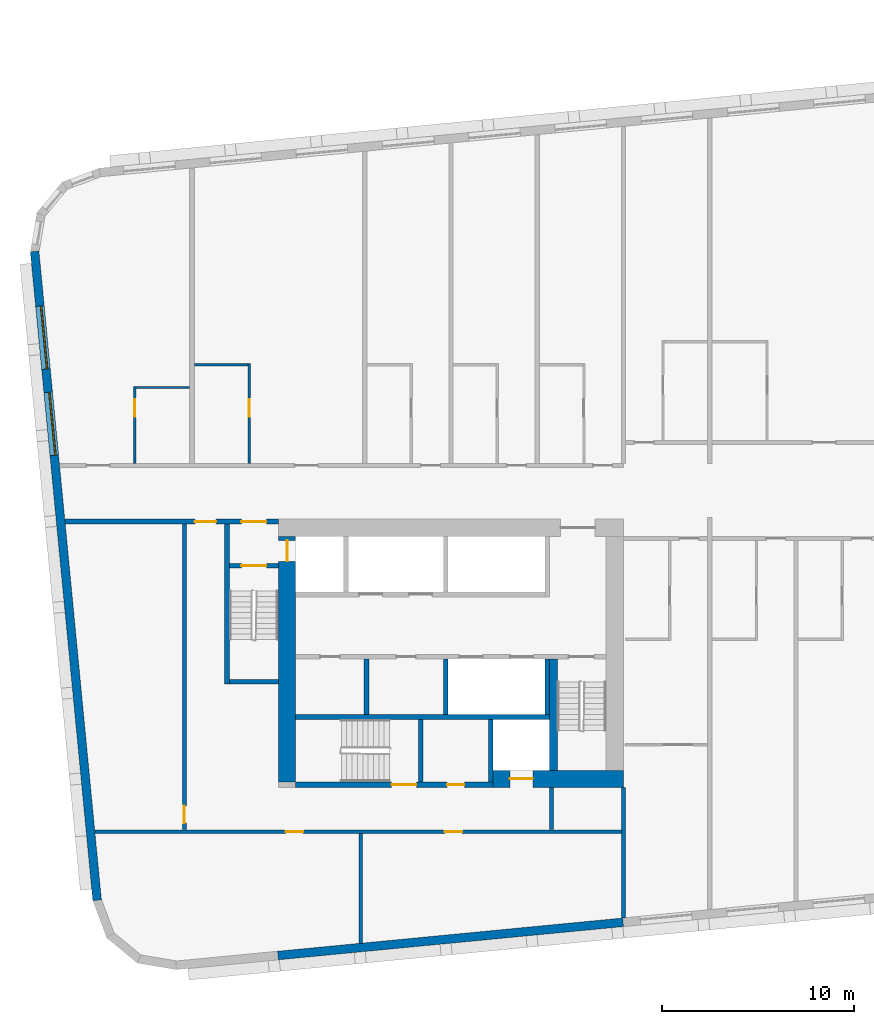
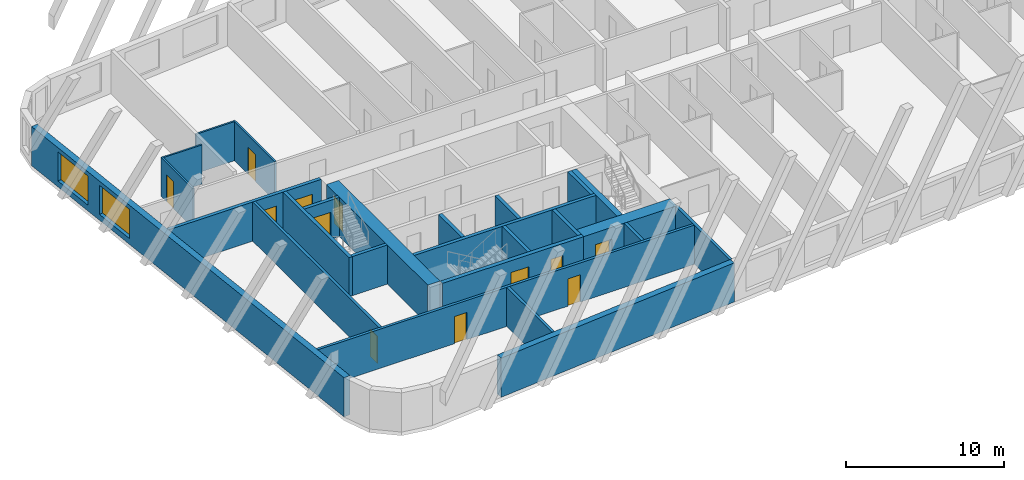
# One storey, part 2 of 13: 25 walls, 12 doors, 2 windows, 14 openings.
"""IFC4 building model written with IfcOpenShell, lengths in metres."""

from ifc_helpers import new_model, si_unit, direction, frame, frame_2d, origin, place, context, subcontext, project, spatial, rectangle, extrude, material, layer, layer_set, type_object, element, fill, save


model = new_model("IFC4")

# Units and contexts
model_context = context("Model", 3, precision=1e-05, world=origin(), true_north=direction((0.0, 1.0)))
body_context = subcontext(model_context, "Body", "Model", "MODEL_VIEW")
ifc_project = project(units=[si_unit("LENGTHUNIT", "METRE"), si_unit("AREAUNIT", "SQUARE_METRE"), si_unit("VOLUMEUNIT", "CUBIC_METRE"), si_unit("PLANEANGLEUNIT", "RADIAN"), si_unit("MASSUNIT", "GRAM", prefix="KILO")], contexts=[model_context])

# Site, building, storey
site_placement = place(None, origin())
site = spatial("IfcSite", under=ifc_project, at=site_placement, CompositionType="ELEMENT")
building_placement = place(site_placement, origin())
building = spatial("IfcBuilding", under=site, at=building_placement, Name="Kajstack Hotel Tower", CompositionType="ELEMENT")
storey_placement = place(building_placement, frame((0.0, 0.0, 176.800048828125)))
storey = spatial("IfcBuildingStorey", under=building, at=storey_placement, Name="L41", CompositionType="ELEMENT", Elevation=176.800048828125)

# Wall, opening, door
ifc_material_1 = material(Name="Concrete C60/75", Category="concrete")
ifc_layer_1 = layer(ifc_material_1, 0.89990234375)
ifc_layer_set_1 = layer_set([ifc_layer_1], Name="Core wall 900")
wall_type_1 = type_object("IfcWallType", Name="Core wall 900", PredefinedType="SHEAR", material=ifc_layer_set_1)
wall_1_placement = place(storey_placement, frame((-20.300048828125, -15.050048828125, 0.0), z_axis=(0.0, 0.0, 1.0), x_axis=(1.0, 0.0, 0.0)))
wall_1 = element("IfcWall", 1, at=wall_1_placement, inside=storey, type_object=wall_type_1, Name="Core wall W RS", PredefinedType="SHEAR", context=body_context, shape_type="SweptSolid", body=[
    extrude(rectangle(XDim=6.800048828125, YDim=0.89990234375, at=frame_2d((3.39990234375, 0.0))), origin(), (0.0, 0.0, 1.0), 3.02001953125),
])
opening_1_placement = place(wall_1_placement, frame((0.875, 0.0, 0.0)))
opening_1 = element("IfcOpeningElement", 2, at=opening_1_placement, cuts=wall_1, Name="Opening LD-SV1", PredefinedType="OPENING", context=body_context, shape_type="SweptSolid", body=[
    extrude(rectangle(XDim=1.199951171875, YDim=2.10009765625, at=frame_2d((0.60009765625, 1.050048828125))), frame((0.0, 0.4599609375, 0.0), z_axis=(0.0, -1.0, 0.0), x_axis=(1.0, 0.0, 0.0)), (0.0, 0.0, 1.0), 0.919921875),
])
ifc_material_2 = material(Name="Stainless steel", Category="steel")
door_type_1 = type_object("IfcDoorType", Name="Lift landing door 1200", OperationType="SLIDING_TO_LEFT", PredefinedType="DOOR", material=ifc_material_2)
door_1_placement = place(opening_1_placement, origin())
door_1 = element("IfcDoor", 3, at=door_1_placement, inside=storey, type_object=door_type_1, Name="Landing door SV1", OperationType="SLIDING_TO_LEFT", OverallHeight=2.10009765625, OverallWidth=1.199951171875, PredefinedType="DOOR", context=body_context, shape_type="SweptSolid", body=[
    extrude(rectangle(XDim=1.199951171875, YDim=2.10009765625, at=frame_2d((0.60009765625, 1.050048828125))), frame((0.0, 0.02490234375, 0.0), z_axis=(0.0, -1.0, 0.0), x_axis=(1.0, 0.0, 0.0)), (0.0, 0.0, 1.0), 0.050048828125),
])
fill(opening_1, door_1)

wall_2_placement = place(storey_placement, frame((-31.050048828125, -15.199951171875, 0.0), z_axis=(0.0, 0.0, 1.0), x_axis=(0.0, 1.0, 0.0)))
wall_2 = element("IfcWall", 4, at=wall_2_placement, inside=storey, type_object=wall_type_1, Name="Core wall W RW", PredefinedType="SHEAR", context=body_context, shape_type="SweptSolid", body=[
    extrude(rectangle(XDim=12.800048828125, YDim=0.89990234375, at=frame_2d((6.39990234375, 0.0))), origin(), (0.0, 0.0, 1.0), 3.02001953125),
])
opening_2_placement = place(wall_2_placement, frame((11.5, 0.0, 0.0)))
opening_2 = element("IfcOpeningElement", 5, at=opening_2_placement, cuts=wall_2, Name="Opening LD-FF1", PredefinedType="OPENING", context=body_context, shape_type="SweptSolid", body=[
    extrude(rectangle(XDim=1.10009765625, YDim=2.10009765625, at=frame_2d((0.550048828125, 1.050048828125))), frame((0.0, 0.4599609375, 0.0), z_axis=(0.0, -1.0, 0.0), x_axis=(1.0, 0.0, 0.0)), (0.0, 0.0, 1.0), 0.919921875),
])
door_type_2 = type_object("IfcDoorType", Name="Fire-fighting lift landing door 1100", OperationType="SLIDING_TO_LEFT", PredefinedType="DOOR", material=ifc_material_2)
door_2_placement = place(opening_2_placement, origin())
door_2 = element("IfcDoor", 6, at=door_2_placement, inside=storey, type_object=door_type_2, Name="Landing door FF1", OperationType="SLIDING_TO_RIGHT", OverallHeight=2.10009765625, OverallWidth=1.10009765625, PredefinedType="DOOR", context=body_context, shape_type="SweptSolid", body=[
    extrude(rectangle(XDim=1.10009765625, YDim=2.10009765625, at=frame_2d((0.550048828125, 1.050048828125))), frame((0.0, 0.02490234375, 0.0), z_axis=(0.0, -1.0, 0.0), x_axis=(1.0, 0.0, 0.0)), (0.0, 0.0, 1.0), 0.050048828125),
])
fill(opening_2, door_2)

# Walls
ifc_material_3 = material(Name="Twin-frame gypsum board on steel studs, mineral wool", Category="steel")
ifc_layer_2 = layer(ifc_material_3, 0.199951171875)
ifc_layer_set_2 = layer_set([ifc_layer_2], Name="Demising wall 200")
wall_type_2 = type_object("IfcWallType", Name="Demising wall 200", PredefinedType="PARTITIONING", material=ifc_layer_set_2)
wall_3_placement = place(storey_placement, frame((-13.5, -22.300048828125, 0.0), z_axis=(0.0, 0.0, 1.0), x_axis=(0.0, 1.0, 0.0)))
element("IfcWall", 7, at=wall_3_placement, inside=storey, type_object=wall_type_2, Name="G-wall-L41-002", PredefinedType="PARTITIONING", context=body_context, shape_type="SweptSolid", body=[
    extrude(rectangle(XDim=6.800048828125, YDim=0.199951171875, at=frame_2d((3.39990234375, 0.0))), origin(), (0.0, 0.0, 1.0), 3.02001953125),
])
ifc_material_4 = material(Name="Concrete C40/50", Category="concrete")
ifc_layer_3 = layer(ifc_material_4, 0.449951171875)
ifc_layer_set_3 = layer_set([ifc_layer_3], Name="EW-CORE")
wall_type_3 = type_object("IfcWallType", Name="EW-CORE", PredefinedType="SOLIDWALL", material=ifc_layer_set_3)
wall_4_placement = place(storey_placement, frame((-31.521484375, -24.26171875, 0.0), z_axis=(0.0, 0.0, 1.0), x_axis=(0.995396454615, 0.095843091245, 0.0)))
element("IfcWall", 8, at=wall_4_placement, inside=storey, type_object=wall_type_3, Name="E-wall-L41-04-01", PredefinedType="SOLIDWALL", context=body_context, shape_type="SweptSolid", body=[
    extrude(rectangle(XDim=18.083251953125, YDim=0.449951171875, at=frame_2d((9.04150390625, 0.0))), origin(), (0.0, 0.0, 1.0), 3.02001953125),
])

# Wall, openings, windows
ifc_material_5 = material(Name="Terracotta-faced brick masonry", Category="masonry")
ifc_layer_4 = layer(ifc_material_5, 0.449951171875)
ifc_layer_set_4 = layer_set([ifc_layer_4], Name="EW-TERRA")
wall_type_4 = type_object("IfcWallType", Name="EW-TERRA", PredefinedType="SOLIDWALL", material=ifc_layer_set_4)
wall_5_placement = place(storey_placement, frame((-44.21435546875, 12.465576171875, 0.0), z_axis=(0.0, 0.0, 1.0), x_axis=(0.095847314626, -0.995396047952, 0.0)))
wall_5 = element("IfcWall", 9, at=wall_5_placement, inside=storey, type_object=wall_type_4, Name="E-wall-L41-00-00", PredefinedType="SOLIDWALL", context=body_context, shape_type="SweptSolid", body=[
    extrude(rectangle(XDim=33.999755859375, YDim=0.449951171875, at=frame_2d((17.0, 0.0))), origin(), (0.0, 0.0, 1.0), 3.02001953125),
])
opening_3_placement = place(wall_5_placement, frame((2.864990234375, 0.0, 0.449951171875)))
opening_3 = element("IfcOpeningElement", 10, at=opening_3_placement, cuts=wall_5, Name="Opening W2", PredefinedType="OPENING", context=body_context, shape_type="SweptSolid", body=[
    extrude(rectangle(XDim=3.300048828125, YDim=2.25, at=frame_2d((1.64990234375, 1.125))), frame((0.0, 0.23486328125, 0.0), z_axis=(0.0, -1.0, 0.0), x_axis=(1.0, 0.0, 0.0)), (0.0, 0.0, 1.0), 0.469970703125),
])
opening_4_placement = place(wall_5_placement, frame((7.3857421875, 0.0, 0.449951171875)))
opening_4 = element("IfcOpeningElement", 11, at=opening_4_placement, cuts=wall_5, Name="Opening W2", PredefinedType="OPENING", context=body_context, shape_type="SweptSolid", body=[
    extrude(rectangle(XDim=3.300048828125, YDim=2.25, at=frame_2d((1.64990234375, 1.125))), frame((0.0, 0.23486328125, 0.0), z_axis=(0.0, -1.0, 0.0), x_axis=(1.0, 0.0, 0.0)), (0.0, 0.0, 1.0), 0.469970703125),
])
ifc_material_6 = material(Name="Timber-aluminium window, triple glazed", Category="wood")
window_type = type_object("IfcWindowType", Name="WG2", PartitioningType="SINGLE_PANEL", PredefinedType="WINDOW", material=ifc_material_6)
window_1_placement = place(opening_3_placement, origin())
window_1 = element("IfcWindow", 12, at=window_1_placement, inside=storey, type_object=window_type, Name="Window W2 L41-00", OverallHeight=2.25, OverallWidth=3.300048828125, PartitioningType="SINGLE_PANEL", PredefinedType="WINDOW", context=body_context, shape_type="SweptSolid", body=[
    extrude(rectangle(XDim=3.300048828125, YDim=2.25, at=frame_2d((1.64990234375, 1.125))), frame((0.0, 0.090087890625, 0.0), z_axis=(0.0, -1.0, 0.0), x_axis=(1.0, 0.0, 0.0)), (0.0, 0.0, 1.0), 0.06005859375),
])
fill(opening_3, window_1)
window_2_placement = place(opening_4_placement, origin())
window_2 = element("IfcWindow", 13, at=window_2_placement, inside=storey, type_object=window_type, Name="Window W2 L41-00", OverallHeight=2.25, OverallWidth=3.300048828125, PartitioningType="SINGLE_PANEL", PredefinedType="WINDOW", context=body_context, shape_type="SweptSolid", body=[
    extrude(rectangle(XDim=3.300048828125, YDim=2.25, at=frame_2d((1.64990234375, 1.125))), frame((0.0, 0.090087890625, 0.0), z_axis=(0.0, -1.0, 0.0), x_axis=(1.0, 0.0, 0.0)), (0.0, 0.0, 1.0), 0.06005859375),
])
fill(opening_4, window_2)

# Wall, opening, door
ifc_material_7 = material(Name="Gypsum board and tiled backer on steel studs", Category="steel")
ifc_layer_5 = layer(ifc_material_7, 0.125)
ifc_layer_set_5 = layer_set([ifc_layer_5], Name="En-suite wall 125")
wall_type_5 = type_object("IfcWallType", Name="En-suite wall 125", PredefinedType="PARTITIONING", material=ifc_layer_set_5)
wall_6_placement = place(storey_placement, frame((-38.987060546875, 1.39990234375, 0.0), z_axis=(0.0, 0.0, 1.0), x_axis=(0.0, 1.0, 0.0)))
wall_6 = element("IfcWall", 14, at=wall_6_placement, inside=storey, type_object=wall_type_5, Name="G-wall-L41-005", PredefinedType="PARTITIONING", context=body_context, shape_type="SweptSolid", body=[
    extrude(rectangle(XDim=4.028076171875, YDim=0.125, at=frame_2d((2.01416015625, 0.0))), origin(), (0.0, 0.0, 1.0), 3.02001953125),
])
opening_5_placement = place(wall_6_placement, frame((2.449951171875, 0.0, 0.0)))
opening_5 = element("IfcOpeningElement", 15, at=opening_5_placement, cuts=wall_6, Name="Opening 41002", PredefinedType="OPENING", context=body_context, shape_type="SweptSolid", body=[
    extrude(rectangle(XDim=0.89990234375, YDim=2.10009765625, at=frame_2d((0.449951171875, 1.050048828125))), frame((0.0, 0.072509765625, 0.0), z_axis=(0.0, -1.0, 0.0), x_axis=(1.0, 0.0, 0.0)), (0.0, 0.0, 1.0), 0.14501953125),
])
ifc_material_8 = material(Name="Painted timber door leaf", Category="wood")
door_type_3 = type_object("IfcDoorType", Name="Room door 900", OperationType="SINGLE_SWING_LEFT", PredefinedType="DOOR", material=ifc_material_8)
door_3_placement = place(opening_5_placement, origin())
door_3 = element("IfcDoor", 16, at=door_3_placement, inside=storey, type_object=door_type_3, Name="G-door-L41-02", OperationType="SINGLE_SWING_RIGHT", OverallHeight=2.10009765625, OverallWidth=0.89990234375, PredefinedType="DOOR", context=body_context, shape_type="SweptSolid", body=[
    extrude(rectangle(XDim=0.89990234375, YDim=2.10009765625, at=frame_2d((0.449951171875, 1.050048828125))), frame((0.0, 0.02490234375, 0.0), z_axis=(0.0, -1.0, 0.0), x_axis=(1.0, 0.0, 0.0)), (0.0, 0.0, 1.0), 0.050048828125),
])
fill(opening_5, door_3)

# Wall
wall_7_placement = place(storey_placement, frame((-38.925048828125, 5.365966796875, 0.0), z_axis=(0.0, 0.0, 1.0), x_axis=(1.0, 0.0, 0.0)))
element("IfcWall", 17, at=wall_7_placement, inside=storey, type_object=wall_type_5, Name="G-wall-L41-006", PredefinedType="PARTITIONING", context=body_context, shape_type="SweptSolid", body=[
    extrude(rectangle(XDim=2.800048828125, YDim=0.125, at=frame_2d((1.39990234375, 0.0))), origin(), (0.0, 0.0, 1.0), 3.02001953125),
])

# Wall, opening, door
wall_8_placement = place(storey_placement, frame((-33.012939453125, 1.39990234375, 0.0), z_axis=(0.0, 0.0, 1.0), x_axis=(0.0, 1.0, 0.0)))
wall_8 = element("IfcWall", 18, at=wall_8_placement, inside=storey, type_object=wall_type_5, Name="G-wall-L41-007", PredefinedType="PARTITIONING", context=body_context, shape_type="SweptSolid", body=[
    extrude(rectangle(XDim=5.22509765625, YDim=0.125, at=frame_2d((2.612548828125, 0.0))), origin(), (0.0, 0.0, 1.0), 3.02001953125),
])
opening_6_placement = place(wall_8_placement, frame((2.449951171875, 0.0, 0.0)))
opening_6 = element("IfcOpeningElement", 19, at=opening_6_placement, cuts=wall_8, Name="Opening 41004", PredefinedType="OPENING", context=body_context, shape_type="SweptSolid", body=[
    extrude(rectangle(XDim=0.89990234375, YDim=2.10009765625, at=frame_2d((0.449951171875, 1.050048828125))), frame((0.0, 0.072509765625, 0.0), z_axis=(0.0, -1.0, 0.0), x_axis=(1.0, 0.0, 0.0)), (0.0, 0.0, 1.0), 0.14501953125),
])
door_4_placement = place(opening_6_placement, origin())
door_4 = element("IfcDoor", 20, at=door_4_placement, inside=storey, type_object=door_type_3, Name="G-door-L41-04", OperationType="SINGLE_SWING_RIGHT", OverallHeight=2.10009765625, OverallWidth=0.89990234375, PredefinedType="DOOR", context=body_context, shape_type="SweptSolid", body=[
    extrude(rectangle(XDim=0.89990234375, YDim=2.10009765625, at=frame_2d((0.449951171875, 1.050048828125))), frame((0.0, 0.02490234375, 0.0), z_axis=(0.0, -1.0, 0.0), x_axis=(1.0, 0.0, 0.0)), (0.0, 0.0, 1.0), 0.050048828125),
])
fill(opening_6, door_4)

# Walls
wall_9_placement = place(storey_placement, frame((-35.875, 6.56201171875, 0.0), z_axis=(0.0, 0.0, 1.0), x_axis=(1.0, 0.0, 0.0)))
element("IfcWall", 21, at=wall_9_placement, inside=storey, type_object=wall_type_5, Name="G-wall-L41-008", PredefinedType="PARTITIONING", context=body_context, shape_type="SweptSolid", body=[
    extrude(rectangle(XDim=2.800048828125, YDim=0.125, at=frame_2d((1.39990234375, 0.0))), origin(), (0.0, 0.0, 1.0), 3.02001953125),
])
ifc_material_9 = material(Name="Concrete C50/60", Category="concrete")
ifc_layer_6 = layer(ifc_material_9, 0.300048828125)
ifc_layer_set_6 = layer_set([ifc_layer_6], Name="Hoistway divider wall 300")
wall_type_6 = type_object("IfcWallType", Name="Hoistway divider wall 300", PredefinedType="SHEAR", material=ifc_layer_set_6)
wall_10_placement = place(storey_placement, frame((-22.77490234375, -11.699951171875, 0.0), z_axis=(0.0, 0.0, 1.0), x_axis=(0.0, 1.0, 0.0)))
element("IfcWall", 22, at=wall_10_placement, inside=storey, type_object=wall_type_6, Name="Core wall W BP2", PredefinedType="SHEAR", context=body_context, shape_type="SweptSolid", body=[
    extrude(rectangle(XDim=2.89990234375, YDim=0.25, at=frame_2d((1.449951171875, 0.0))), origin(), (0.0, 0.0, 1.0), 3.02001953125),
])
ifc_material_10 = material(Name="Concrete block masonry", Category="masonry")
ifc_layer_7 = layer(ifc_material_10, 0.25)
ifc_layer_set_7 = layer_set([ifc_layer_7], Name="Riser partition 250")
wall_type_7 = type_object("IfcWallType", Name="Riser partition 250", PredefinedType="PARTITIONING", material=ifc_layer_set_7)
wall_11_placement = place(storey_placement, frame((-26.89990234375, -11.699951171875, 0.0), z_axis=(0.0, 0.0, 1.0), x_axis=(0.0, 1.0, 0.0)))
element("IfcWall", 23, at=wall_11_placement, inside=storey, type_object=wall_type_7, Name="Partition W BF0", PredefinedType="PARTITIONING", context=body_context, shape_type="SweptSolid", body=[
    extrude(rectangle(XDim=2.89990234375, YDim=0.25, at=frame_2d((1.449951171875, 0.0))), origin(), (0.0, 0.0, 1.0), 3.02001953125),
])

# Wall, openings, doors
ifc_material_11 = material(Name="Gypsum board on steel studs, mineral wool", Category="steel")
ifc_layer_8 = layer(ifc_material_11, 0.199951171875)
ifc_layer_set_8 = layer_set([ifc_layer_8], Name="Service partition 200")
wall_type_8 = type_object("IfcWallType", Name="Service partition 200", PredefinedType="PARTITIONING", material=ifc_layer_set_8)
wall_12_placement = place(storey_placement, frame((-42.631591796875, -1.625, 0.0), z_axis=(0.0, 0.0, 1.0), x_axis=(1.0, 0.0, 0.0)))
wall_12 = element("IfcWall", 24, at=wall_12_placement, inside=storey, type_object=wall_type_8, Name="Partition W SN", PredefinedType="PARTITIONING", context=body_context, shape_type="SweptSolid", body=[
    extrude(rectangle(XDim=11.131591796875, YDim=0.25, at=frame_2d((5.56591796875, 0.0))), origin(), (0.0, 0.0, 1.0), 3.02001953125),
])
opening_7_placement = place(wall_12_placement, frame((9.20654296875, 0.0, 0.0)))
opening_7 = element("IfcOpeningElement", 25, at=opening_7_placement, cuts=wall_12, Name="Opening 41W08", PredefinedType="OPENING", context=body_context, shape_type="SweptSolid", body=[
    extrude(rectangle(XDim=1.300048828125, YDim=2.10009765625, at=frame_2d((0.64990234375, 1.050048828125))), frame((0.0, 0.135009765625, 0.0), z_axis=(0.0, -1.0, 0.0), x_axis=(1.0, 0.0, 0.0)), (0.0, 0.0, 1.0), 0.27001953125),
])
opening_8_placement = place(wall_12_placement, frame((6.781494140625, 0.0, 0.0)))
opening_8 = element("IfcOpeningElement", 26, at=opening_8_placement, cuts=wall_12, Name="Opening 41W10", PredefinedType="OPENING", context=body_context, shape_type="SweptSolid", body=[
    extrude(rectangle(XDim=1.10009765625, YDim=2.10009765625, at=frame_2d((0.550048828125, 1.050048828125))), frame((0.0, 0.135009765625, 0.0), z_axis=(0.0, -1.0, 0.0), x_axis=(1.0, 0.0, 0.0)), (0.0, 0.0, 1.0), 0.27001953125),
])
ifc_material_12 = material(Name="Steel leaf, fire-rated", Category="steel")
door_type_4 = type_object("IfcDoorType", Name="Fire lobby door 1300", OperationType="SINGLE_SWING_LEFT", PredefinedType="DOOR", material=ifc_material_12)
door_5_placement = place(opening_7_placement, origin())
door_5 = element("IfcDoor", 27, at=door_5_placement, inside=storey, type_object=door_type_4, Name="Door 41W08", OperationType="SINGLE_SWING_RIGHT", OverallHeight=2.10009765625, OverallWidth=1.300048828125, PredefinedType="DOOR", context=body_context, shape_type="SweptSolid", body=[
    extrude(rectangle(XDim=1.300048828125, YDim=2.10009765625, at=frame_2d((0.64990234375, 1.050048828125))), frame((0.0, 0.02490234375, 0.0), z_axis=(0.0, -1.0, 0.0), x_axis=(1.0, 0.0, 0.0)), (0.0, 0.0, 1.0), 0.050048828125),
])
fill(opening_7, door_5)
ifc_material_13 = material(Name="Timber leaf, fire-rated", Category="wood")
door_type_5 = type_object("IfcDoorType", Name="Service corridor door 1100", OperationType="SINGLE_SWING_LEFT", PredefinedType="DOOR", material=ifc_material_13)
door_6_placement = place(opening_8_placement, origin())
door_6 = element("IfcDoor", 28, at=door_6_placement, inside=storey, type_object=door_type_5, Name="Door 41W10", OperationType="SINGLE_SWING_RIGHT", OverallHeight=2.10009765625, OverallWidth=1.10009765625, PredefinedType="DOOR", context=body_context, shape_type="SweptSolid", body=[
    extrude(rectangle(XDim=1.10009765625, YDim=2.10009765625, at=frame_2d((0.550048828125, 1.050048828125))), frame((0.0, 0.02490234375, 0.0), z_axis=(0.0, -1.0, 0.0), x_axis=(1.0, 0.0, 0.0)), (0.0, 0.0, 1.0), 0.050048828125),
])
fill(opening_8, door_6)

# Wall
wall_13_placement = place(storey_placement, frame((-17.25, -17.699951171875, 0.0), z_axis=(0.0, 0.0, 1.0), x_axis=(0.0, 1.0, 0.0)))
element("IfcWall", 29, at=wall_13_placement, inside=storey, type_object=wall_type_8, Name="Partition W SCE", PredefinedType="PARTITIONING", context=body_context, shape_type="SweptSolid", body=[
    extrude(rectangle(XDim=2.199951171875, YDim=0.199951171875, at=frame_2d((1.10009765625, 0.0))), origin(), (0.0, 0.0, 1.0), 3.02001953125),
])

# Wall, opening, door
wall_14_placement = place(storey_placement, frame((-36.39990234375, -17.699951171875, 0.0), z_axis=(0.0, 0.0, 1.0), x_axis=(0.0, 1.0, 0.0)))
wall_14 = element("IfcWall", 30, at=wall_14_placement, inside=storey, type_object=wall_type_8, Name="Partition W WRE", PredefinedType="PARTITIONING", context=body_context, shape_type="SweptSolid", body=[
    extrude(rectangle(XDim=15.949951171875, YDim=0.199951171875, at=frame_2d((7.97509765625, 0.0))), origin(), (0.0, 0.0, 1.0), 3.02001953125),
])
opening_9_placement = place(wall_14_placement, frame((0.35009765625, 0.0, 0.0)))
opening_9 = element("IfcOpeningElement", 31, at=opening_9_placement, cuts=wall_14, Name="Opening 41W18", PredefinedType="OPENING", context=body_context, shape_type="SweptSolid", body=[
    extrude(rectangle(XDim=0.89990234375, YDim=2.10009765625, at=frame_2d((0.449951171875, 1.050048828125))), frame((0.0, 0.10986328125, 0.0), z_axis=(0.0, -1.0, 0.0), x_axis=(1.0, 0.0, 0.0)), (0.0, 0.0, 1.0), 0.219970703125),
])
door_type_6 = type_object("IfcDoorType", Name="Service door 900", OperationType="SINGLE_SWING_LEFT", PredefinedType="DOOR", material=ifc_material_13)
door_7_placement = place(opening_9_placement, origin())
door_7 = element("IfcDoor", 32, at=door_7_placement, inside=storey, type_object=door_type_6, Name="Door 41W18", OperationType="SINGLE_SWING_LEFT", OverallHeight=2.10009765625, OverallWidth=0.89990234375, PredefinedType="DOOR", context=body_context, shape_type="SweptSolid", body=[
    extrude(rectangle(XDim=0.89990234375, YDim=2.10009765625, at=frame_2d((0.449951171875, 1.050048828125))), frame((0.0, 0.02490234375, 0.0), z_axis=(0.0, -1.0, 0.0), x_axis=(1.0, 0.0, 0.0)), (0.0, 0.0, 1.0), 0.050048828125),
])
fill(opening_9, door_7)

# Wall, openings, doors
wall_15_placement = place(storey_placement, frame((-41.07421875, -17.800048828125, 0.0), z_axis=(0.0, 0.0, 1.0), x_axis=(1.0, 0.0, 0.0)))
wall_15 = element("IfcWall", 33, at=wall_15_placement, inside=storey, type_object=wall_type_8, Name="Partition W SLN", PredefinedType="PARTITIONING", context=body_context, shape_type="SweptSolid", body=[
    extrude(rectangle(XDim=27.47412109375, YDim=0.199951171875, at=frame_2d((13.737060546875, 0.0))), origin(), (0.0, 0.0, 1.0), 3.02001953125),
])
opening_10_placement = place(wall_15_placement, frame((9.961669921875, 0.0, 0.0)))
opening_10 = element("IfcOpeningElement", 34, at=opening_10_placement, cuts=wall_15, Name="Opening 41W16", PredefinedType="OPENING", context=body_context, shape_type="SweptSolid", body=[
    extrude(rectangle(XDim=0.89990234375, YDim=2.10009765625, at=frame_2d((0.449951171875, 1.050048828125))), frame((0.0, 0.10986328125, 0.0), z_axis=(0.0, -1.0, 0.0), x_axis=(1.0, 0.0, 0.0)), (0.0, 0.0, 1.0), 0.219970703125),
])
opening_11_placement = place(wall_15_placement, frame((18.26171875, 0.0, 0.0)))
opening_11 = element("IfcOpeningElement", 35, at=opening_11_placement, cuts=wall_15, Name="Opening 41W17", PredefinedType="OPENING", context=body_context, shape_type="SweptSolid", body=[
    extrude(rectangle(XDim=0.89990234375, YDim=2.10009765625, at=frame_2d((0.449951171875, 1.050048828125))), frame((0.0, 0.10986328125, 0.0), z_axis=(0.0, -1.0, 0.0), x_axis=(1.0, 0.0, 0.0)), (0.0, 0.0, 1.0), 0.219970703125),
])
door_8_placement = place(opening_10_placement, origin())
door_8 = element("IfcDoor", 36, at=door_8_placement, inside=storey, type_object=door_type_6, Name="Door 41W16", OperationType="SINGLE_SWING_RIGHT", OverallHeight=2.10009765625, OverallWidth=0.89990234375, PredefinedType="DOOR", context=body_context, shape_type="SweptSolid", body=[
    extrude(rectangle(XDim=0.89990234375, YDim=2.10009765625, at=frame_2d((0.449951171875, 1.050048828125))), frame((0.0, 0.02490234375, 0.0), z_axis=(0.0, -1.0, 0.0), x_axis=(1.0, 0.0, 0.0)), (0.0, 0.0, 1.0), 0.050048828125),
])
fill(opening_10, door_8)
door_9_placement = place(opening_11_placement, origin())
door_9 = element("IfcDoor", 37, at=door_9_placement, inside=storey, type_object=door_type_6, Name="Door 41W17", OperationType="SINGLE_SWING_RIGHT", OverallHeight=2.10009765625, OverallWidth=0.89990234375, PredefinedType="DOOR", context=body_context, shape_type="SweptSolid", body=[
    extrude(rectangle(XDim=0.89990234375, YDim=2.10009765625, at=frame_2d((0.449951171875, 1.050048828125))), frame((0.0, 0.02490234375, 0.0), z_axis=(0.0, -1.0, 0.0), x_axis=(1.0, 0.0, 0.0)), (0.0, 0.0, 1.0), 0.050048828125),
])
fill(opening_11, door_9)

# Wall
wall_16_placement = place(storey_placement, frame((-27.199951171875, -23.62060546875, 0.0), z_axis=(0.0, 0.0, 1.0), x_axis=(0.0, 1.0, 0.0)))
element("IfcWall", 38, at=wall_16_placement, inside=storey, type_object=wall_type_8, Name="Partition W SLP0", PredefinedType="PARTITIONING", context=body_context, shape_type="SweptSolid", body=[
    extrude(rectangle(XDim=5.720703125, YDim=0.199951171875, at=frame_2d((2.8603515625, 0.0))), origin(), (0.0, 0.0, 1.0), 3.02001953125),
])

# Wall, openings, doors
ifc_layer_9 = layer(ifc_material_9, 0.25)
ifc_layer_set_9 = layer_set([ifc_layer_9], Name="Shaft wall 250")
wall_type_9 = type_object("IfcWallType", Name="Shaft wall 250", PredefinedType="SHEAR", material=ifc_layer_set_9)
wall_17_placement = place(storey_placement, frame((-30.60009765625, -15.35009765625, 0.0), z_axis=(0.0, 0.0, 1.0), x_axis=(1.0, 0.0, 0.0)))
wall_17 = element("IfcWall", 39, at=wall_17_placement, inside=storey, type_object=wall_type_9, Name="Core wall W RSS", PredefinedType="SHEAR", context=body_context, shape_type="SweptSolid", body=[
    extrude(rectangle(XDim=10.300048828125, YDim=0.300048828125, at=frame_2d((5.14990234375, 0.0))), origin(), (0.0, 0.0, 1.0), 3.02001953125),
])
opening_12_placement = place(wall_17_placement, frame((5.0, 0.0, 0.0)))
opening_12 = element("IfcOpeningElement", 40, at=opening_12_placement, cuts=wall_17, Name="Opening 41W12", PredefinedType="OPENING", context=body_context, shape_type="SweptSolid", body=[
    extrude(rectangle(XDim=1.300048828125, YDim=2.10009765625, at=frame_2d((0.64990234375, 1.050048828125))), frame((0.0, 0.159912109375, 0.0), z_axis=(0.0, -1.0, 0.0), x_axis=(1.0, 0.0, 0.0)), (0.0, 0.0, 1.0), 0.320068359375),
])
opening_13_placement = place(wall_17_placement, frame((7.89990234375, 0.0, 0.0)))
opening_13 = element("IfcOpeningElement", 41, at=opening_13_placement, cuts=wall_17, Name="Opening 41W13", PredefinedType="OPENING", context=body_context, shape_type="SweptSolid", body=[
    extrude(rectangle(XDim=0.89990234375, YDim=2.10009765625, at=frame_2d((0.449951171875, 1.050048828125))), frame((0.0, 0.159912109375, 0.0), z_axis=(0.0, -1.0, 0.0), x_axis=(1.0, 0.0, 0.0)), (0.0, 0.0, 1.0), 0.320068359375),
])
door_10_placement = place(opening_13_placement, origin())
door_10 = element("IfcDoor", 42, at=door_10_placement, inside=storey, type_object=door_type_6, Name="Door 41W13", OperationType="SINGLE_SWING_LEFT", OverallHeight=2.10009765625, OverallWidth=0.89990234375, PredefinedType="DOOR", context=body_context, shape_type="SweptSolid", body=[
    extrude(rectangle(XDim=0.89990234375, YDim=2.10009765625, at=frame_2d((0.449951171875, 1.050048828125))), frame((0.0, 0.02490234375, 0.0), z_axis=(0.0, -1.0, 0.0), x_axis=(1.0, 0.0, 0.0)), (0.0, 0.0, 1.0), 0.050048828125),
])
fill(opening_13, door_10)
door_type_7 = type_object("IfcDoorType", Name="Stair door 1300", OperationType="SINGLE_SWING_LEFT", PredefinedType="DOOR", material=ifc_material_12)
door_11_placement = place(opening_12_placement, origin())
door_11 = element("IfcDoor", 43, at=door_11_placement, inside=storey, type_object=door_type_7, Name="Door 41W12", OperationType="SINGLE_SWING_RIGHT", OverallHeight=2.10009765625, OverallWidth=1.300048828125, PredefinedType="DOOR", context=body_context, shape_type="SweptSolid", body=[
    extrude(rectangle(XDim=1.300048828125, YDim=2.10009765625, at=frame_2d((0.64990234375, 1.050048828125))), frame((0.0, 0.02490234375, 0.0), z_axis=(0.0, -1.0, 0.0), x_axis=(1.0, 0.0, 0.0)), (0.0, 0.0, 1.0), 0.050048828125),
])
fill(opening_12, door_11)

# Walls
wall_18_placement = place(storey_placement, frame((-30.60009765625, -11.824951171875, 0.0), z_axis=(0.0, 0.0, 1.0), x_axis=(1.0, 0.0, 0.0)))
element("IfcWall", 44, at=wall_18_placement, inside=storey, type_object=wall_type_9, Name="Core wall W RB", PredefinedType="SHEAR", context=body_context, shape_type="SweptSolid", body=[
    extrude(rectangle(XDim=13.25, YDim=0.25, at=frame_2d((6.625, 0.0))), origin(), (0.0, 0.0, 1.0), 3.02001953125),
])
wall_19_placement = place(storey_placement, frame((-17.47509765625, -11.699951171875, 0.0), z_axis=(0.0, 0.0, 1.0), x_axis=(0.0, 1.0, 0.0)))
element("IfcWall", 45, at=wall_19_placement, inside=storey, type_object=wall_type_9, Name="Core wall W BE", PredefinedType="SHEAR", context=body_context, shape_type="SweptSolid", body=[
    extrude(rectangle(XDim=2.89990234375, YDim=0.25, at=frame_2d((1.449951171875, 0.0))), origin(), (0.0, 0.0, 1.0), 3.02001953125),
])
wall_20_placement = place(storey_placement, frame((-20.425048828125, -15.199951171875, 0.0), z_axis=(0.0, 0.0, 1.0), x_axis=(0.0, 1.0, 0.0)))
element("IfcWall", 46, at=wall_20_placement, inside=storey, type_object=wall_type_9, Name="Core wall W SVW", PredefinedType="SHEAR", context=body_context, shape_type="SweptSolid", body=[
    extrude(rectangle(XDim=3.25, YDim=0.25, at=frame_2d((1.625, 0.0))), origin(), (0.0, 0.0, 1.0), 3.02001953125),
])

# Wall, opening, door
ifc_layer_10 = layer(ifc_material_4, 0.25)
ifc_layer_set_10 = layer_set([ifc_layer_10], Name="Stair enclosure wall 250")
wall_type_10 = type_object("IfcWallType", Name="Stair enclosure wall 250", PredefinedType="SHEAR", material=ifc_layer_set_10)
wall_21_placement = place(storey_placement, frame((-34.050048828125, -3.925048828125, 0.0), z_axis=(0.0, 0.0, 1.0), x_axis=(1.0, 0.0, 0.0)))
wall_21 = element("IfcWall", 47, at=wall_21_placement, inside=storey, type_object=wall_type_10, Name="Core wall W W1N", PredefinedType="SHEAR", context=body_context, shape_type="SweptSolid", body=[
    extrude(rectangle(XDim=2.550048828125, YDim=0.25, at=frame_2d((1.27490234375, 0.0))), origin(), (0.0, 0.0, 1.0), 3.02001953125),
])
opening_14_placement = place(wall_21_placement, frame((0.625, 0.0, 0.0)))
opening_14 = element("IfcOpeningElement", 48, at=opening_14_placement, cuts=wall_21, Name="Opening 41W09", PredefinedType="OPENING", context=body_context, shape_type="SweptSolid", body=[
    extrude(rectangle(XDim=1.300048828125, YDim=2.10009765625, at=frame_2d((0.64990234375, 1.050048828125))), frame((0.0, 0.135009765625, 0.0), z_axis=(0.0, -1.0, 0.0), x_axis=(1.0, 0.0, 0.0)), (0.0, 0.0, 1.0), 0.27001953125),
])
door_12_placement = place(opening_14_placement, origin())
door_12 = element("IfcDoor", 49, at=door_12_placement, inside=storey, type_object=door_type_7, Name="Door 41W09", OperationType="SINGLE_SWING_RIGHT", OverallHeight=2.10009765625, OverallWidth=1.300048828125, PredefinedType="DOOR", context=body_context, shape_type="SweptSolid", body=[
    extrude(rectangle(XDim=1.300048828125, YDim=2.10009765625, at=frame_2d((0.64990234375, 1.050048828125))), frame((0.0, 0.02490234375, 0.0), z_axis=(0.0, -1.0, 0.0), x_axis=(1.0, 0.0, 0.0)), (0.0, 0.0, 1.0), 0.050048828125),
])
fill(opening_14, door_12)

# Walls
wall_22_placement = place(storey_placement, frame((-34.175048828125, -10.10009765625, 0.0), z_axis=(0.0, 0.0, 1.0), x_axis=(0.0, 1.0, 0.0)))
element("IfcWall", 50, at=wall_22_placement, inside=storey, type_object=wall_type_10, Name="Core wall W W1W", PredefinedType="SHEAR", context=body_context, shape_type="SweptSolid", body=[
    extrude(rectangle(XDim=8.35009765625, YDim=0.25, at=frame_2d((4.175048828125, 0.0))), origin(), (0.0, 0.0, 1.0), 3.02001953125),
])
wall_23_placement = place(storey_placement, frame((-34.050048828125, -9.97509765625, 0.0), z_axis=(0.0, 0.0, 1.0), x_axis=(1.0, 0.0, 0.0)))
element("IfcWall", 51, at=wall_23_placement, inside=storey, type_object=wall_type_10, Name="Core wall W W1S", PredefinedType="SHEAR", context=body_context, shape_type="SweptSolid", body=[
    extrude(rectangle(XDim=2.550048828125, YDim=0.25, at=frame_2d((1.27490234375, 0.0))), origin(), (0.0, 0.0, 1.0), 3.02001953125),
])
ifc_layer_11 = layer(ifc_material_9, 0.35009765625)
ifc_layer_set_11 = layer_set([ifc_layer_11], Name="Stair enclosure wall 350")
wall_type_11 = type_object("IfcWallType", Name="Stair enclosure wall 350", PredefinedType="SHEAR", material=ifc_layer_set_11)
wall_24_placement = place(storey_placement, frame((-24.074951171875, -15.199951171875, 0.0), z_axis=(0.0, 0.0, 1.0), x_axis=(0.0, 1.0, 0.0)))
element("IfcWall", 52, at=wall_24_placement, inside=storey, type_object=wall_type_11, Name="Core wall W W3E", PredefinedType="SHEAR", context=body_context, shape_type="SweptSolid", body=[
    extrude(rectangle(XDim=3.25, YDim=0.25, at=frame_2d((1.625, 0.0))), origin(), (0.0, 0.0, 1.0), 3.02001953125),
])
ifc_layer_12 = layer(ifc_material_9, 0.39990234375)
ifc_layer_set_12 = layer_set([ifc_layer_12], Name="Stair wall 400")
wall_type_12 = type_object("IfcWallType", Name="Stair wall 400", PredefinedType="SHEAR", material=ifc_layer_set_12)
wall_25_placement = place(storey_placement, frame((-17.14990234375, -14.60009765625, 0.0), z_axis=(0.0, 0.0, 1.0), x_axis=(0.0, 1.0, 0.0)))
element("IfcWall", 53, at=wall_25_placement, inside=storey, type_object=wall_type_12, Name="Core wall W WW2", PredefinedType="SHEAR", context=body_context, shape_type="SweptSolid", body=[
    extrude(rectangle(XDim=5.800048828125, YDim=0.39990234375, at=frame_2d((2.89990234375, 0.0))), origin(), (0.0, 0.0, 1.0), 3.02001953125),
])

save(model, "model.ifc")
